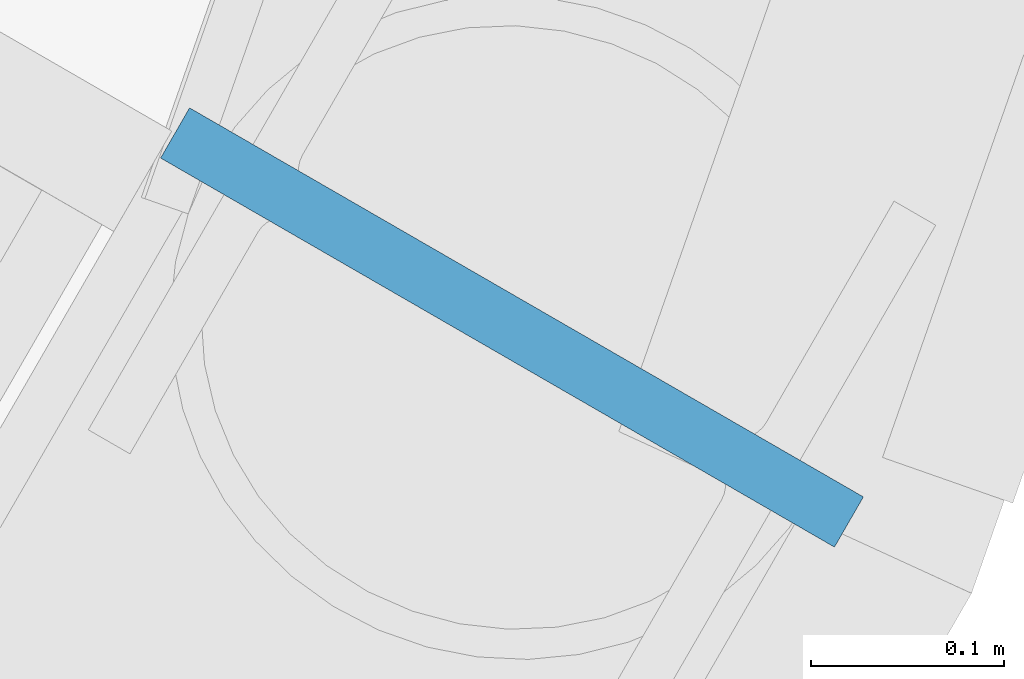
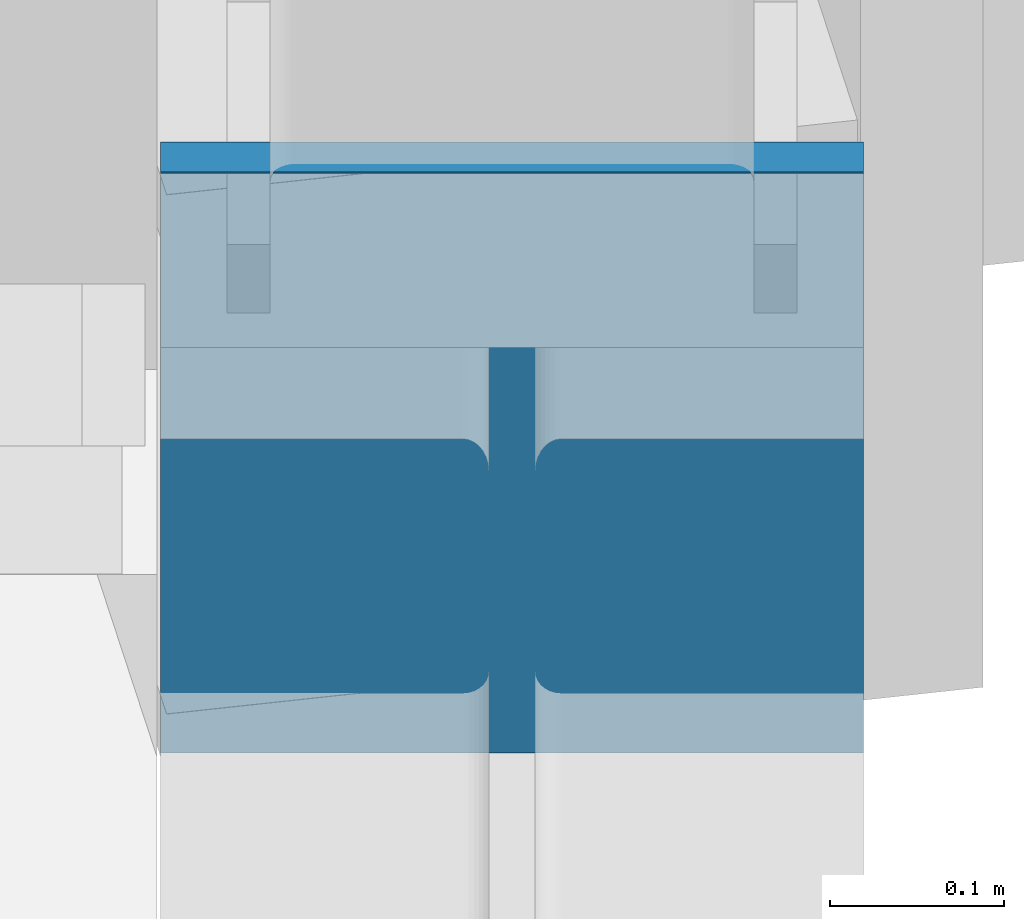
# One storey, part 19 of 24: 1 discrete accessory.
"""IFC4 building model written with IfcOpenShell, lengths in metres."""

import ifcopenshell
import ifcopenshell.guid

model = None  # the IFC model being written
_history = None  # IfcOwnerHistory: only IFC2X3 demands one
_inside = {}  # id of a spatial element -> (the spatial element, [elements in it])
_under = {}  # id of a project, library or spatial element -> (it, [spatial elements below it])
_declared = {}  # id of a project -> (the project, [libraries it declares])
_typed = {}  # id of a type object -> (the type object, [elements of that type])
_made_of = {}  # id of a material, layer set ... -> (it, [elements and type objects made of it])


def new_model(schema):
    """Start an empty IFC model of exactly this schema.

    Asked for "IFC4X3", IfcOpenShell would pick the latest addendum, in which some entities
    have other attributes; the version numbers below select the first issue.
    IFC2X3 requires an IfcOwnerHistory on every rooted entity: one is made here for all.
    """
    global model, _history
    if schema == "IFC4X3":
        model = ifcopenshell.file(schema_version=(4, 3, 0, 0))
    else:
        model = ifcopenshell.file(schema=schema)
    _inside.clear()
    _under.clear()
    _declared.clear()
    _typed.clear()
    _made_of.clear()
    _history = None
    if model.schema == "IFC2X3":
        org = make("IfcOrganization", Name="unknown")
        user = make(
            "IfcPersonAndOrganization",
            ThePerson=make("IfcPerson", FamilyName="unknown"),
            TheOrganization=org,
        )
        app = make(
            "IfcApplication",
            ApplicationDeveloper=org,
            Version="unknown",
            ApplicationFullName="unknown",
            ApplicationIdentifier="unknown",
        )
        _history = make(
            "IfcOwnerHistory",
            OwningUser=user,
            OwningApplication=app,
            ChangeAction="ADDED",
            CreationDate=0,
        )
    return model


def make(cls, **values):
    """One entity of the class cls with the attributes given. An attribute that is None is left unset."""
    return model.create_entity(
        cls, **{name: value for name, value in values.items() if value is not None}
    )


def rooted(cls, **values):
    """An entity with a GlobalId (a new one), such as an element, a storey or a relation."""
    return make(cls, GlobalId=ifcopenshell.guid.new(), OwnerHistory=_history, **values)


def si_unit(unit_type, name, prefix=None):
    """IfcSIUnit, for example si_unit("LENGTHUNIT", "METRE", prefix="MILLI")."""
    return make("IfcSIUnit", UnitType=unit_type, Prefix=prefix, Name=name)


def assignment(units):
    """IfcUnitAssignment: the units of a project."""
    return None if units is None else make("IfcUnitAssignment", Units=units)


def point(xyz):
    """IfcCartesianPoint."""
    return None if xyz is None else make("IfcCartesianPoint", Coordinates=xyz)


def direction(xyz):
    """IfcDirection."""
    return None if xyz is None else make("IfcDirection", DirectionRatios=xyz)


def frame(location, z_axis=None, x_axis=None):
    """IfcAxis2Placement3D, a coordinate frame: its origin and axes. An axis left out is left unset."""
    return make(
        "IfcAxis2Placement3D",
        Location=point(location),
        Axis=direction(z_axis),
        RefDirection=direction(x_axis),
    )


def frame_2d(location, x_axis=None):
    """IfcAxis2Placement2D, a coordinate frame in the plane: its origin and x axis."""
    return make(
        "IfcAxis2Placement2D", Location=point(location), RefDirection=direction(x_axis)
    )


def origin():
    """The frame at (0, 0, 0) with its axes left unset."""
    return frame((0.0, 0.0, 0.0))


def origin_2d():
    """The frame at (0, 0) in the plane with its x axis left unset."""
    return frame_2d((0.0, 0.0))


def place(relative_to, where):
    """IfcLocalPlacement: puts the frame where relative to a parent placement (None: the world)."""
    return make(
        "IfcLocalPlacement", PlacementRelTo=relative_to, RelativePlacement=where
    )


def context(
    kind, dimensions, precision=None, world=None, true_north=None, identifier=None
):
    """IfcGeometricRepresentationContext, for example the 3D "Model" context."""
    return make(
        "IfcGeometricRepresentationContext",
        ContextIdentifier=identifier,
        ContextType=kind,
        CoordinateSpaceDimension=dimensions,
        Precision=precision,
        WorldCoordinateSystem=world,
        TrueNorth=true_north,
    )


def subcontext(parent, identifier, kind, view, scale=None):
    """IfcGeometricRepresentationSubContext, for example "Body" below "Model"."""
    return make(
        "IfcGeometricRepresentationSubContext",
        ContextIdentifier=identifier,
        ContextType=kind,
        ParentContext=parent,
        TargetScale=scale,
        TargetView=view,
    )


def project(units=None, contexts=None):
    """IfcProject with its units and contexts."""
    return rooted(
        "IfcProject",
        Name="project",
        RepresentationContexts=contexts,
        UnitsInContext=assignment(units),
    )


def spatial(cls, under=None, at=None, **own):
    """A site, building, storey or space (cls), placed at a placement, below another one or the project."""
    s = rooted(cls, ObjectPlacement=at, **own)
    if under is not None:
        _under.setdefault(under.id(), (under, []))[1].append(s)
    return s


def profile(cls, at=None, kind="AREA", **sizes):
    """A parametric profile (cls). Its sizes go by their IFC names, for example OverallWidth=200.0."""
    return make(cls, ProfileType=kind, Position=at, **sizes)


def rectangle(**sizes):
    """IfcRectangleProfileDef."""
    return profile("IfcRectangleProfileDef", **sizes)


def extrude(swept, where, along, depth):
    """IfcExtrudedAreaSolid: the profile swept, set in the frame where, extruded along a direction by depth."""
    return make(
        "IfcExtrudedAreaSolid",
        SweptArea=swept,
        Position=where,
        ExtrudedDirection=direction(along),
        Depth=depth,
    )


def shape(context_of_items, identifier, shape_type, items):
    """IfcShapeRepresentation: the items that make up one representation, for example the "Body"."""
    return make(
        "IfcShapeRepresentation",
        ContextOfItems=context_of_items,
        RepresentationIdentifier=identifier,
        RepresentationType=shape_type,
        Items=items,
    )


def material(Name=None, Category=None):
    """IfcMaterial."""
    return make("IfcMaterial", Name=Name, Category=Category)


def made_of(thing, what):
    """Note that an element or type object is made of a material, layer set ...; save() writes the relation."""
    if what is not None:
        _made_of.setdefault(what.id(), (what, []))[1].append(thing)
    return thing


def type_object(cls, material=None, **own):
    """A type object (cls), such as IfcWallType, which elements share."""
    return made_of(rooted(cls, **own), material)


def element(
    cls,
    number,
    at=None,
    inside=None,
    cuts=None,
    type_object=None,
    material=None,
    context=None,
    identifier="Body",
    shape_type=None,
    held_by="IfcProductDefinitionShape",
    body=None,
    shapes=None,
    **own,
):
    """One element of the class cls, such as IfcWall. Its Tag is "e" and its number.

    at: its placement. inside: the storey or other place that contains it. cuts: it is an
    opening in that element (IfcRelVoidsElement). A single representation is given by context,
    identifier, shape_type and body (its items); several are given by shapes. held_by: the class
    of the entity that holds the representations. save() writes the other relations.
    """
    e = rooted(cls, Tag="e%d" % number, ObjectPlacement=at, **own)
    if body is not None:
        shapes = [shape(context, identifier, shape_type, body)]
    if shapes is not None:
        e.Representation = make(held_by, Representations=shapes)
    if inside is not None:
        _inside.setdefault(inside.id(), (inside, []))[1].append(e)
    if cuts is not None:
        rooted(
            "IfcRelVoidsElement", RelatingBuildingElement=cuts, RelatedOpeningElement=e
        )
    if type_object is not None:
        _typed.setdefault(type_object.id(), (type_object, []))[1].append(e)
    return made_of(e, material)


def aggregate(whole, parts):
    """IfcRelAggregates: a whole, such as a stair, and the parts it consists of."""
    return rooted("IfcRelAggregates", RelatingObject=whole, RelatedObjects=parts)


def save(model, path):
    """Write the relations noted so far, then the file.

    IfcRelAggregates (storeys below a building ...), IfcRelContainedInSpatialStructure (elements
    in a storey), IfcRelDefinesByType, IfcRelAssociatesMaterial and IfcRelDeclares: one each for
    every whole, place, type object, material and project.
    """
    for whole, parts in _under.values():
        aggregate(whole, parts)
    for where, things in _inside.values():
        rooted(
            "IfcRelContainedInSpatialStructure",
            RelatedElements=things,
            RelatingStructure=where,
        )
    for kind, things in _typed.values():
        rooted("IfcRelDefinesByType", RelatedObjects=things, RelatingType=kind)
    for what, things in _made_of.values():
        rooted("IfcRelAssociatesMaterial", RelatedObjects=things, RelatingMaterial=what)
    for by, libraries in _declared.values():
        rooted("IfcRelDeclares", RelatingContext=by, RelatedDefinitions=libraries)
    model.write(path)


model = new_model("IFC4")

# Units and contexts
model_context = context("Model", 3, precision=1e-05, world=origin(), true_north=direction((0.0, 1.0)))
body_context = subcontext(model_context, "Body", "Model", "MODEL_VIEW")
ifc_project = project(units=[si_unit("LENGTHUNIT", "METRE"), si_unit("AREAUNIT", "SQUARE_METRE"), si_unit("VOLUMEUNIT", "CUBIC_METRE"), si_unit("PLANEANGLEUNIT", "RADIAN"), si_unit("MASSUNIT", "GRAM", prefix="KILO")], contexts=[model_context])

# Site, building, storey
site_placement = place(None, origin())
site = spatial("IfcSite", under=ifc_project, at=site_placement, CompositionType="ELEMENT")
building_placement = place(site_placement, origin())
building = spatial("IfcBuilding", under=site, at=building_placement, Name="Tarnside Tower", CompositionType="ELEMENT")
storey_placement = place(building_placement, frame((0.0, 0.0, 250.199951171875)))
storey = spatial("IfcBuildingStorey", under=building, at=storey_placement, Name="L60", CompositionType="ELEMENT", Elevation=250.199951171875)

# Discrete accessory
ifc_material = material(Name="Steel S355", Category="steel")
discrete_accessory_type = type_object("IfcDiscreteAccessoryType", Name="Cast-in plate L60 belt truss chord end", PredefinedType="USERDEFINED", material=ifc_material)
discrete_accessory_placement = place(storey_placement, frame((31.509033203125, -0.874755859375, -0.2998046875), z_axis=(0.0, 0.0, 1.0), x_axis=(0.5, 0.866025403784, 0.0)))
element("IfcDiscreteAccessory", 1, at=discrete_accessory_placement, inside=storey, type_object=discrete_accessory_type, Name="Cast-in plate run L60 B", ObjectType="Cast-in plate", PredefinedType="USERDEFINED", context=body_context, shape_type="SweptSolid", body=[
    extrude(rectangle(XDim=0.030029296875, YDim=0.403076171875, at=origin_2d()), origin(), (0.0, 0.0, 1.0), 0.406494140625),
])

save(model, "model.ifc")
